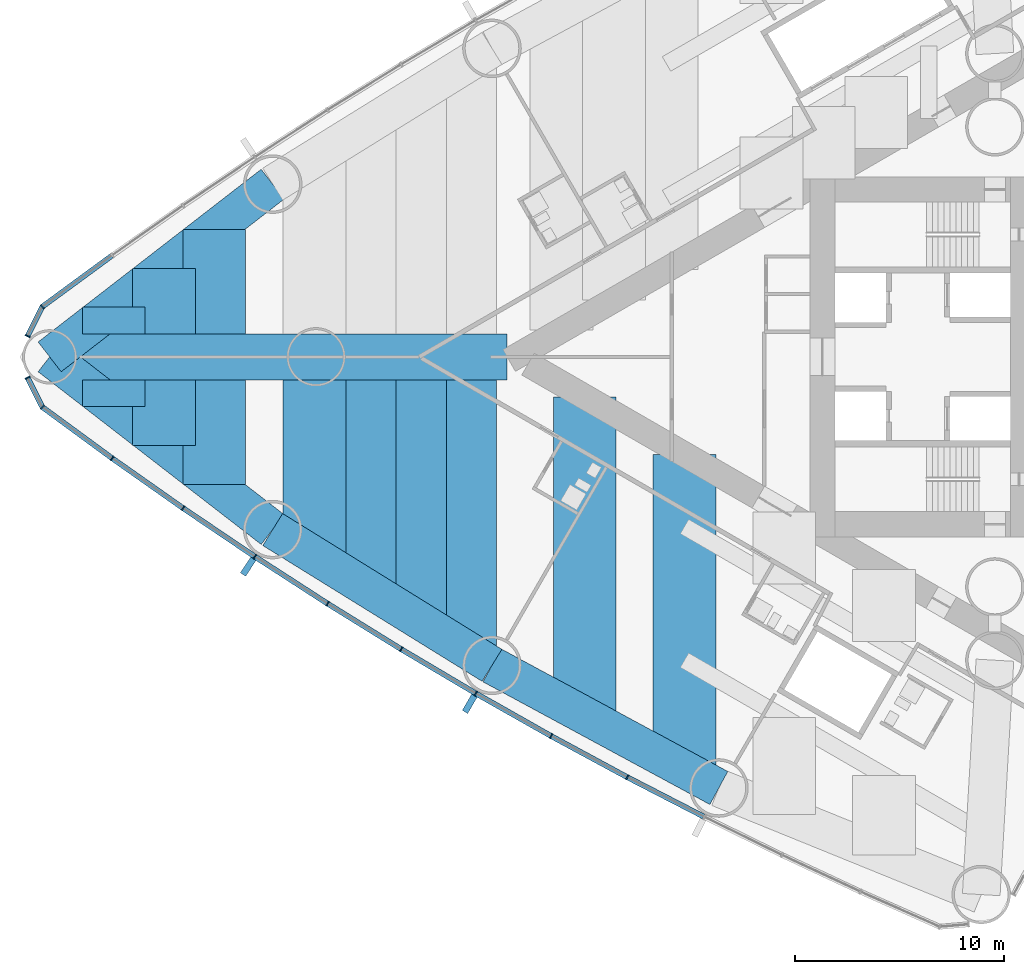
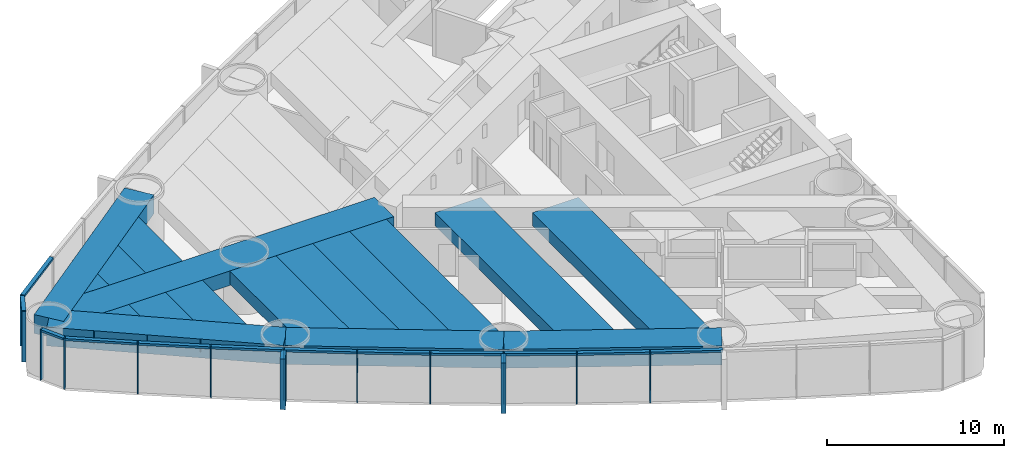
# One storey, part 2 of 19: 26 members, 17 beams, 2 elements without a shape of their own.
"""IFC4 building model written with IfcOpenShell, lengths in metres."""

from ifc_helpers import new_model, si_unit, direction, frame, origin, origin_2d, place, context, subcontext, project, spatial, rectangle, extrude, material, material_profile, profile_set, type_object, element, aggregate, save


model = new_model("IFC4")

# Units and contexts
model_context = context("Model", 3, precision=1e-05, world=origin(), true_north=direction((0.0, 1.0)))
body_context = subcontext(model_context, "Body", "Model", "MODEL_VIEW")
ifc_project = project(units=[si_unit("LENGTHUNIT", "METRE"), si_unit("AREAUNIT", "SQUARE_METRE"), si_unit("VOLUMEUNIT", "CUBIC_METRE"), si_unit("PLANEANGLEUNIT", "RADIAN"), si_unit("MASSUNIT", "GRAM", prefix="KILO")], contexts=[model_context])

# Site, building, storey
site_placement = place(None, origin())
site = spatial("IfcSite", under=ifc_project, at=site_placement, CompositionType="ELEMENT")
building_placement = place(site_placement, origin())
building = spatial("IfcBuilding", under=site, at=building_placement, Name="Lancet Gate Hotel", CompositionType="ELEMENT")
storey_placement = place(building_placement, frame((0.0, 0.0, 18.0)))
storey = spatial("IfcBuildingStorey", under=building, at=storey_placement, Name="L03", CompositionType="ELEMENT", Elevation=18.0)

# Curtain wall, members
ifc_material_1 = material(Name="Aluminium curtain wall", Category="aluminium")
curtain_wall_type = type_object("IfcCurtainWallType", Name="Tower unitised curtain wall", PredefinedType="USERDEFINED", material=ifc_material_1)
curtain_wall_1_placement = place(storey_placement, origin())
curtain_wall_1 = element("IfcCurtainWall", 1, at=curtain_wall_1_placement, inside=storey, type_object=curtain_wall_type, Name="T1 L03 curtain wall 2", ObjectType="UNITISED CURTAIN WALL", PredefinedType="USERDEFINED")
ifc_material_2 = material(Name="Aluminium mullion", Category="aluminium")
ifc_material_profile_1 = material_profile(ifc_material_2, rectangle(XDim=0.06494140625, YDim=0.25, at=origin_2d()), Name="MULLION 65x250")
ifc_profile_set_1 = profile_set([ifc_material_profile_1], Name="Aluminium mullion")
member_type_1 = type_object("IfcMemberType", Name="Aluminium mullion 65x250", PredefinedType="MULLION", material=ifc_profile_set_1)
member_1_placement = place(storey_placement, frame((-74.5830078125, 2.401611328125, 0.0), z_axis=(0.0, 0.0, 1.0), x_axis=(-0.723695580132, -0.690119342793, 0.0)))
member_1 = element("IfcMember", 2, at=member_1_placement, type_object=member_type_1, Name="T1 L03 curtain wall 2 mullion 14", PredefinedType="MULLION", context=body_context, shape_type="SweptSolid", body=[
    extrude(rectangle(XDim=0.06494140625, YDim=0.25, at=origin_2d()), origin(), (0.0, 0.0, 1.0), 3.5),
])
member_2_placement = place(storey_placement, frame((-75.287109375, 0.994873046875, 0.0), z_axis=(0.0, 0.0, 1.0), x_axis=(-0.447628324726, -0.89421970617, 0.0)))
member_2 = element("IfcMember", 3, at=member_2_placement, type_object=member_type_1, Name="T1 L03 curtain wall 2 mullion 15", PredefinedType="MULLION", context=body_context, shape_type="SweptSolid", body=[
    extrude(rectangle(XDim=0.06494140625, YDim=0.25, at=origin_2d()), origin(), (0.0, 0.0, 1.0), 3.5),
])

curtain_wall_2_placement = place(storey_placement, origin())
curtain_wall_2 = element("IfcCurtainWall", 4, at=curtain_wall_2_placement, inside=storey, type_object=curtain_wall_type, Name="T1 L03 curtain wall 3", ObjectType="UNITISED CURTAIN WALL", PredefinedType="USERDEFINED")
member_3_placement = place(storey_placement, frame((-75.287109375, -0.994873046875, 0.0), z_axis=(0.0, 0.0, 1.0), x_axis=(0.447628324726, -0.89421970617, 0.0)))
member_3 = element("IfcMember", 5, at=member_3_placement, type_object=member_type_1, Name="T1 L03 curtain wall 3 mullion 1", PredefinedType="MULLION", context=body_context, shape_type="SweptSolid", body=[
    extrude(rectangle(XDim=0.06494140625, YDim=0.25, at=origin_2d()), origin(), (0.0, 0.0, 1.0), 3.5),
])
member_4_placement = place(storey_placement, frame((-74.5830078125, -2.401611328125, 0.0), z_axis=(0.0, 0.0, 1.0), x_axis=(0.723695580132, -0.690119342793, 0.0)))
member_4 = element("IfcMember", 6, at=member_4_placement, type_object=member_type_1, Name="T1 L03 curtain wall 3 mullion 2", PredefinedType="MULLION", context=body_context, shape_type="SweptSolid", body=[
    extrude(rectangle(XDim=0.06494140625, YDim=0.25, at=origin_2d()), origin(), (0.0, 0.0, 1.0), 3.5),
])
member_5_placement = place(storey_placement, frame((-71.244384765625, -4.85009765625, 0.0), z_axis=(0.0, 0.0, 1.0), x_axis=(0.812146623168, -0.583453393578, 0.0)))
member_5 = element("IfcMember", 7, at=member_5_placement, type_object=member_type_1, Name="T1 L03 curtain wall 3 mullion 3", PredefinedType="MULLION", context=body_context, shape_type="SweptSolid", body=[
    extrude(rectangle(XDim=0.06494140625, YDim=0.25, at=origin_2d()), origin(), (0.0, 0.0, 1.0), 3.5),
])
member_6_placement = place(storey_placement, frame((-67.858154296875, -7.232666015625, 0.0), z_axis=(0.0, 0.0, 1.0), x_axis=(0.823425148573, -0.56742490666, 0.0)))
member_6 = element("IfcMember", 8, at=member_6_placement, type_object=member_type_1, Name="T1 L03 curtain wall 3 mullion 4", PredefinedType="MULLION", context=body_context, shape_type="SweptSolid", body=[
    extrude(rectangle(XDim=0.06494140625, YDim=0.25, at=origin_2d()), origin(), (0.0, 0.0, 1.0), 3.5),
])
member_7_placement = place(storey_placement, frame((-64.42626953125, -9.548583984375, 0.0), z_axis=(0.0, 0.0, 1.0), x_axis=(0.834387381945, -0.55117846189, 0.0)))
member_7 = element("IfcMember", 9, at=member_7_placement, type_object=member_type_1, Name="T1 L03 curtain wall 3 mullion 5", PredefinedType="MULLION", context=body_context, shape_type="SweptSolid", body=[
    extrude(rectangle(XDim=0.06494140625, YDim=0.25, at=origin_2d()), origin(), (0.0, 0.0, 1.0), 3.5),
])
member_8_placement = place(storey_placement, frame((-60.949462890625, -11.796630859375, 0.0), z_axis=(0.0, 0.0, 1.0), x_axis=(0.845029112489, -0.534720299827, 0.0)))
member_8 = element("IfcMember", 10, at=member_8_placement, type_object=member_type_1, Name="T1 L03 curtain wall 3 mullion 6", PredefinedType="MULLION", context=body_context, shape_type="SweptSolid", body=[
    extrude(rectangle(XDim=0.06494140625, YDim=0.25, at=origin_2d()), origin(), (0.0, 0.0, 1.0), 3.5),
])
member_9_placement = place(storey_placement, frame((-57.42919921875, -13.97607421875, 0.0), z_axis=(0.0, 0.0, 1.0), x_axis=(0.855346252548, -0.518056742309, 0.0)))
member_9 = element("IfcMember", 11, at=member_9_placement, type_object=member_type_1, Name="T1 L03 curtain wall 3 mullion 7", PredefinedType="MULLION", context=body_context, shape_type="SweptSolid", body=[
    extrude(rectangle(XDim=0.06494140625, YDim=0.25, at=origin_2d()), origin(), (0.0, 0.0, 1.0), 3.5),
])
member_10_placement = place(storey_placement, frame((-53.866943359375, -16.086181640625, 0.0), z_axis=(0.0, 0.0, 1.0), x_axis=(0.86533483912, -0.501194190115, 0.0)))
member_10 = element("IfcMember", 12, at=member_10_placement, type_object=member_type_1, Name="T1 L03 curtain wall 3 mullion 8", PredefinedType="MULLION", context=body_context, shape_type="SweptSolid", body=[
    extrude(rectangle(XDim=0.06494140625, YDim=0.25, at=origin_2d()), origin(), (0.0, 0.0, 1.0), 3.5),
])
member_11_placement = place(storey_placement, frame((-50.26416015625, -18.1259765625, 0.0), z_axis=(0.0, 0.0, 1.0), x_axis=(0.874991035403, -0.484139120464, 0.0)))
member_11 = element("IfcMember", 13, at=member_11_placement, type_object=member_type_1, Name="T1 L03 curtain wall 3 mullion 9", PredefinedType="MULLION", context=body_context, shape_type="SweptSolid", body=[
    extrude(rectangle(XDim=0.06494140625, YDim=0.25, at=origin_2d()), origin(), (0.0, 0.0, 1.0), 3.5),
])
member_12_placement = place(storey_placement, frame((-46.6220703125, -20.094970703125, 0.0), z_axis=(0.0, 0.0, 1.0), x_axis=(0.884311132302, -0.466898084475, 0.0)))
member_12 = element("IfcMember", 14, at=member_12_placement, type_object=member_type_1, Name="T1 L03 curtain wall 3 mullion 10", PredefinedType="MULLION", context=body_context, shape_type="SweptSolid", body=[
    extrude(rectangle(XDim=0.06494140625, YDim=0.25, at=origin_2d()), origin(), (0.0, 0.0, 1.0), 3.5),
])

# Member
ifc_material_3 = material(Name="Aluminium transom", Category="aluminium")
ifc_material_profile_2 = material_profile(ifc_material_3, rectangle(XDim=0.25, YDim=0.14990234375, at=origin_2d()), Name="TRANSOM 250x150")
ifc_profile_set_2 = profile_set([ifc_material_profile_2], Name="Aluminium transom")
member_type_2 = type_object("IfcMemberType", Name="Aluminium transom 250x150", PredefinedType="USERDEFINED", material=ifc_profile_set_2)
member_13_placement = place(storey_placement, frame((-71.2705078125, 4.8310546875, 3.425048828125), z_axis=(-0.806366902144, -0.59141560609, 0.0), x_axis=(0.59141560609, -0.806366902144, 0.0)))
member_13 = element("IfcMember", 15, at=member_13_placement, type_object=member_type_2, Name="T1 L03 curtain wall 2 transom 13", ObjectType="TRANSOM", PredefinedType="USERDEFINED", context=body_context, shape_type="SweptSolid", body=[
    extrude(rectangle(XDim=0.25, YDim=0.14990234375, at=origin_2d()), origin(), (0.0, 0.0, 1.0), 4.0751953125),
])

member_14_placement = place(storey_placement, frame((-74.597412109375, 2.37255859375, 3.425048828125), z_axis=(-0.447731503446, -0.894168049542, 0.0), x_axis=(0.894168049542, -0.447731503446, 0.0)))
member_14 = element("IfcMember", 16, at=member_14_placement, type_object=member_type_2, Name="T1 L03 curtain wall 2 transom 14", ObjectType="TRANSOM", PredefinedType="USERDEFINED", context=body_context, shape_type="SweptSolid", body=[
    extrude(rectangle(XDim=0.25, YDim=0.14990234375, at=origin_2d()), origin(), (0.0, 0.0, 1.0), 1.50830078125),
])

aggregate(curtain_wall_1, [member_1, member_2, member_13, member_14])

member_15_placement = place(storey_placement, frame((-75.272705078125, -1.02392578125, 3.425048828125), z_axis=(0.447731503446, -0.894168049542, 0.0), x_axis=(0.894168049542, 0.447731503446, 0.0)))
member_15 = element("IfcMember", 17, at=member_15_placement, type_object=member_type_2, Name="T1 L03 curtain wall 3 transom 1", ObjectType="TRANSOM", PredefinedType="USERDEFINED", context=body_context, shape_type="SweptSolid", body=[
    extrude(rectangle(XDim=0.25, YDim=0.14990234375, at=origin_2d()), origin(), (0.0, 0.0, 1.0), 1.50830078125),
])

member_16_placement = place(storey_placement, frame((-74.556640625, -2.4208984375, 3.425048828125), z_axis=(0.806366902144, -0.59141560609, 0.0), x_axis=(0.59141560609, 0.806366902144, 0.0)))
member_16 = element("IfcMember", 18, at=member_16_placement, type_object=member_type_2, Name="T1 L03 curtain wall 3 transom 2", ObjectType="TRANSOM", PredefinedType="USERDEFINED", context=body_context, shape_type="SweptSolid", body=[
    extrude(rectangle(XDim=0.25, YDim=0.14990234375, at=origin_2d()), origin(), (0.0, 0.0, 1.0), 4.0751953125),
])

member_17_placement = place(storey_placement, frame((-71.2177734375, -4.868896484375, 3.425048828125), z_axis=(0.817833568345, -0.57545482402, 0.0), x_axis=(0.57545482402, 0.817833568345, 0.0)))
member_17 = element("IfcMember", 19, at=member_17_placement, type_object=member_type_2, Name="T1 L03 curtain wall 3 transom 3", ObjectType="TRANSOM", PredefinedType="USERDEFINED", context=body_context, shape_type="SweptSolid", body=[
    extrude(rectangle(XDim=0.25, YDim=0.14990234375, at=origin_2d()), origin(), (0.0, 0.0, 1.0), 4.075439453125),
])

member_18_placement = place(storey_placement, frame((-67.831298828125, -7.2509765625, 3.425048828125), z_axis=(0.828959086782, -0.559309245804, 0.0), x_axis=(0.559309245804, 0.828959086782, 0.0)))
member_18 = element("IfcMember", 20, at=member_18_placement, type_object=member_type_2, Name="T1 L03 curtain wall 3 transom 4", ObjectType="TRANSOM", PredefinedType="USERDEFINED", context=body_context, shape_type="SweptSolid", body=[
    extrude(rectangle(XDim=0.25, YDim=0.14990234375, at=origin_2d()), origin(), (0.0, 0.0, 1.0), 4.0751953125),
])

member_19_placement = place(storey_placement, frame((-64.39892578125, -9.566162109375, 3.425048828125), z_axis=(0.839729242404, -0.543005340169, 0.0), x_axis=(0.543005340169, 0.839729242404, 0.0)))
member_19 = element("IfcMember", 21, at=member_19_placement, type_object=member_type_2, Name="T1 L03 curtain wall 3 transom 5", ObjectType="TRANSOM", PredefinedType="USERDEFINED", context=body_context, shape_type="SweptSolid", body=[
    extrude(rectangle(XDim=0.25, YDim=0.14990234375, at=origin_2d()), origin(), (0.0, 0.0, 1.0), 4.0751953125),
])

member_20_placement = place(storey_placement, frame((-60.921875, -11.813720703125, 3.425048828125), z_axis=(0.850242165643, -0.526391736032, 0.0), x_axis=(0.526391736032, 0.850242165643, 0.0)))
member_20 = element("IfcMember", 22, at=member_20_placement, type_object=member_type_2, Name="T1 L03 curtain wall 3 transom 6", ObjectType="TRANSOM", PredefinedType="USERDEFINED", context=body_context, shape_type="SweptSolid", body=[
    extrude(rectangle(XDim=0.25, YDim=0.14990234375, at=origin_2d()), origin(), (0.0, 0.0, 1.0), 4.075439453125),
])

member_21_placement = place(storey_placement, frame((-57.4013671875, -13.99267578125, 3.425048828125), z_axis=(0.86039174806, -0.509633240547, 0.0), x_axis=(0.509633240547, 0.86039174806, 0.0)))
member_21 = element("IfcMember", 23, at=member_21_placement, type_object=member_type_2, Name="T1 L03 curtain wall 3 transom 7", ObjectType="TRANSOM", PredefinedType="USERDEFINED", context=body_context, shape_type="SweptSolid", body=[
    extrude(rectangle(XDim=0.25, YDim=0.14990234375, at=origin_2d()), origin(), (0.0, 0.0, 1.0), 4.0751953125),
])

member_22_placement = place(storey_placement, frame((-53.838623046875, -16.102294921875, 3.425048828125), z_axis=(0.870197729943, -0.492702659625, 0.0), x_axis=(0.492702659625, 0.870197729943, 0.0)))
member_22 = element("IfcMember", 24, at=member_22_placement, type_object=member_type_2, Name="T1 L03 curtain wall 3 transom 8", ObjectType="TRANSOM", PredefinedType="USERDEFINED", context=body_context, shape_type="SweptSolid", body=[
    extrude(rectangle(XDim=0.25, YDim=0.14990234375, at=origin_2d()), origin(), (0.0, 0.0, 1.0), 4.0751953125),
])

member_23_placement = place(storey_placement, frame((-50.235595703125, -18.1416015625, 3.425048828125), z_axis=(0.87971396408, -0.475503250675, 0.0), x_axis=(0.475503250675, 0.87971396408, 0.0)))
member_23 = element("IfcMember", 25, at=member_23_placement, type_object=member_type_2, Name="T1 L03 curtain wall 3 transom 9", ObjectType="TRANSOM", PredefinedType="USERDEFINED", context=body_context, shape_type="SweptSolid", body=[
    extrude(rectangle(XDim=0.25, YDim=0.14990234375, at=origin_2d()), origin(), (0.0, 0.0, 1.0), 4.0751953125),
])

member_24_placement = place(storey_placement, frame((-46.593017578125, -20.10986328125, 3.425048828125), z_axis=(0.888859972399, -0.458178949175, 0.0), x_axis=(0.458178949175, 0.888859972399, 0.0)))
member_24 = element("IfcMember", 26, at=member_24_placement, type_object=member_type_2, Name="T1 L03 curtain wall 3 transom 10", ObjectType="TRANSOM", PredefinedType="USERDEFINED", context=body_context, shape_type="SweptSolid", body=[
    extrude(rectangle(XDim=0.25, YDim=0.14990234375, at=origin_2d()), origin(), (0.0, 0.0, 1.0), 4.0751953125),
])

# Beams
ifc_material_4 = material(Name="Concrete C50/60", Category="concrete")
ifc_material_profile_3 = material_profile(ifc_material_4, rectangle(XDim=1.800048828125, YDim=1.300048828125, at=origin_2d()), Name="RC 1800x1300")
ifc_profile_set_3 = profile_set([ifc_material_profile_3], Name="Concrete C50/60")
beam_type_1 = type_object("IfcBeamType", Name="Edge beam RC 1800x1300", PredefinedType="SPANDREL", material=ifc_profile_set_3)
for number, where, z_axis, x_axis, name in (
    (27, (-63.57177734375, 8.255126953125, 2.60009765625), (-0.790736428665, -0.612156761281, 0.0), (0.612156761281, -0.790736428665, 0.0), "T1 edge beam EB1 L03"),
    (28, (-74.235107421875, 0.0, 2.60009765625), (0.790736428665, -0.612156761281, 0.0), (0.612156761281, 0.790736428665, 0.0), "T1 edge beam EB1 L03"),
):
    element("IfcBeam", number, at=place(storey_placement, frame(where, z_axis=z_axis, x_axis=x_axis)), inside=storey, type_object=beam_type_1, Name=name, PredefinedType="SPANDREL", context=body_context, shape_type="SweptSolid", body=[
        extrude(rectangle(XDim=1.800048828125, YDim=1.300048828125, at=origin_2d()), origin(), (0.0, 0.0, 1.0), 13.4853515625),
    ])
for number, where, z_axis, x_axis, name in (
    (29, (-63.57177734375, -8.255126953125, 2.60009765625), (0.850225894333, -0.526418016984, 0.0), (0.526418016984, 0.850225894333, 0.0), "T1 edge beam EB1 L03"),
    (30, (-53.090087890625, -14.744873046875, 2.60009765625), (0.879692855603, -0.475542300749, 0.0), (0.475542300749, 0.879692855603, 0.0), "T1 edge beam EB1 L03"),
):
    element("IfcBeam", number, at=place(storey_placement, frame(where, z_axis=z_axis, x_axis=x_axis)), inside=storey, type_object=beam_type_1, Name=name, PredefinedType="SPANDREL", context=body_context, shape_type="SweptSolid", body=[
        extrude(rectangle(XDim=1.800048828125, YDim=1.300048828125, at=origin_2d()), origin(), (0.0, 0.0, 1.0), 12.328125),
    ])

# Member
ifc_material_5 = material(Name="Precast concrete C50/60", Category="concrete")
ifc_material_profile_4 = material_profile(ifc_material_5, rectangle(XDim=0.300048828125, YDim=0.89990234375, at=origin_2d()), Name="FIN 300x900")
ifc_profile_set_4 = profile_set([ifc_material_profile_4], Name="Precast concrete C50/60")
member_type_3 = type_object("IfcMemberType", Name="Exposed concrete fin 300x900", PredefinedType="USERDEFINED", material=ifc_profile_set_4)
member_25_placement = place(storey_placement, frame((-64.7431640625, -10.0283203125, 0.0), z_axis=(0.0, 0.0, 1.0), x_axis=(0.834387381945, -0.55117846189, 0.0)))
member_25 = element("IfcMember", 31, at=member_25_placement, type_object=member_type_3, Name="T1 L03 curtain wall 3 fin 5", ObjectType="FIN", PredefinedType="USERDEFINED", context=body_context, shape_type="SweptSolid", body=[
    extrude(rectangle(XDim=0.300048828125, YDim=0.89990234375, at=origin_2d()), origin(), (0.0, 0.0, 1.0), 3.5),
])

member_26_placement = place(storey_placement, frame((-54.1552734375, -16.583740234375, 0.0), z_axis=(0.0, 0.0, 1.0), x_axis=(0.86533483912, -0.501194190115, 0.0)))
member_26 = element("IfcMember", 32, at=member_26_placement, type_object=member_type_3, Name="T1 L03 curtain wall 3 fin 8", ObjectType="FIN", PredefinedType="USERDEFINED", context=body_context, shape_type="SweptSolid", body=[
    extrude(rectangle(XDim=0.300048828125, YDim=0.89990234375, at=origin_2d()), origin(), (0.0, 0.0, 1.0), 3.5),
])

aggregate(curtain_wall_2, [member_3, member_4, member_5, member_6, member_7, member_25, member_8, member_9, member_10, member_26, member_11, member_12, member_15, member_16, member_17, member_18, member_19, member_20, member_21, member_22, member_23, member_24])

# Beams
ifc_material_6 = material(Name="Concrete C50/60", Category="concrete")
ifc_material_profile_5 = material_profile(ifc_material_6, rectangle(XDim=3.0, YDim=0.89990234375, at=origin_2d()), Name="RC 3000x900")
ifc_profile_set_5 = profile_set([ifc_material_profile_5], Name="Concrete C50/60")
beam_type_2 = type_object("IfcBeamType", Name="Floor beam RC 3000x900", PredefinedType="BEAM", material=ifc_profile_set_5)
beam_1_placement = place(storey_placement, frame((-43.891357421875, -4.663330078125, 2.800048828125), z_axis=(0.0, -1.0, 0.0), x_axis=(1.0, 0.0, 0.0)))
element("IfcBeam", 33, at=beam_1_placement, inside=storey, type_object=beam_type_2, Name="T1 floor beam F08N L03", PredefinedType="BEAM", context=body_context, shape_type="SweptSolid", body=[
    extrude(rectangle(XDim=3.0, YDim=0.89990234375, at=origin_2d()), origin(), (0.0, 0.0, 1.0), 15.05419921875),
])
beam_2_placement = place(storey_placement, frame((-48.66015625, -1.909912109375, 2.800048828125), z_axis=(0.0, -1.0, 0.0), x_axis=(1.0, 0.0, 0.0)))
element("IfcBeam", 34, at=beam_2_placement, inside=storey, type_object=beam_type_2, Name="T1 floor beam F11N L03", PredefinedType="BEAM", context=body_context, shape_type="SweptSolid", body=[
    extrude(rectangle(XDim=3.0, YDim=0.89990234375, at=origin_2d()), origin(), (0.0, 0.0, 1.0), 15.229736328125),
])
beam_3_placement = place(storey_placement, frame((-54.3681640625, -1.10009765625, 2.800048828125), z_axis=(0.0, -1.0, 0.0), x_axis=(1.0, 0.0, 0.0)))
element("IfcBeam", 35, at=beam_3_placement, inside=storey, type_object=beam_type_2, Name="T1 floor beam F14N L03", PredefinedType="BEAM", context=body_context, shape_type="SweptSolid", body=[
    extrude(rectangle(XDim=3.0, YDim=0.89990234375, at=origin_2d()), origin(), (0.0, 0.0, 1.0), 12.853515625),
])
beam_4_placement = place(storey_placement, frame((-56.768310546875, -1.10009765625, 2.800048828125), z_axis=(0.0, -1.0, 0.0), x_axis=(1.0, 0.0, 0.0)))
element("IfcBeam", 36, at=beam_4_placement, inside=storey, type_object=beam_type_2, Name="T1 floor beam F16N L03", PredefinedType="BEAM", context=body_context, shape_type="SweptSolid", body=[
    extrude(rectangle(XDim=3.0, YDim=0.89990234375, at=origin_2d()), origin(), (0.0, 0.0, 1.0), 11.367431640625),
])
beam_5_placement = place(storey_placement, frame((-59.168212890625, -1.10009765625, 2.800048828125), z_axis=(0.0, -1.0, 0.0), x_axis=(1.0, 0.0, 0.0)))
element("IfcBeam", 37, at=beam_5_placement, inside=storey, type_object=beam_type_2, Name="T1 floor beam F18N L03", PredefinedType="BEAM", context=body_context, shape_type="SweptSolid", body=[
    extrude(rectangle(XDim=3.0, YDim=0.89990234375, at=origin_2d()), origin(), (0.0, 0.0, 1.0), 9.881591796875),
])
beam_6_placement = place(storey_placement, frame((-61.568359375, -1.10009765625, 2.800048828125), z_axis=(0.0, -1.0, 0.0), x_axis=(1.0, 0.0, 0.0)))
element("IfcBeam", 38, at=beam_6_placement, inside=storey, type_object=beam_type_2, Name="T1 floor beam F20N L03", PredefinedType="BEAM", context=body_context, shape_type="SweptSolid", body=[
    extrude(rectangle(XDim=3.0, YDim=0.89990234375, at=origin_2d()), origin(), (0.0, 0.0, 1.0), 8.395751953125),
])
for number, where, z_axis, x_axis, name in (
    (39, (-66.3681640625, 6.09033203125, 2.800048828125), (0.0, -1.0, 0.0), (1.0, 0.0, 0.0), "T1 floor beam F21S L03"),
    (40, (-66.3681640625, -1.10009765625, 2.800048828125), (0.0, -1.0, 0.0), (1.0, 0.0, 0.0), "T1 floor beam F22N L03"),
):
    element("IfcBeam", number, at=place(storey_placement, frame(where, z_axis=z_axis, x_axis=x_axis)), inside=storey, type_object=beam_type_2, Name=name, PredefinedType="BEAM", context=body_context, shape_type="SweptSolid", body=[
        extrude(rectangle(XDim=3.0, YDim=0.89990234375, at=origin_2d()), origin(), (0.0, 0.0, 1.0), 4.990234375),
    ])
for number, where, z_axis, x_axis, name in (
    (41, (-68.768310546875, 4.232421875, 2.800048828125), (0.0, -1.0, 0.0), (1.0, 0.0, 0.0), "T1 floor beam F23S L03"),
    (42, (-68.768310546875, -1.10009765625, 2.800048828125), (0.0, -1.0, 0.0), (1.0, 0.0, 0.0), "T1 floor beam F24N L03"),
):
    element("IfcBeam", number, at=place(storey_placement, frame(where, z_axis=z_axis, x_axis=x_axis)), inside=storey, type_object=beam_type_2, Name=name, PredefinedType="BEAM", context=body_context, shape_type="SweptSolid", body=[
        extrude(rectangle(XDim=3.0, YDim=0.89990234375, at=origin_2d()), origin(), (0.0, 0.0, 1.0), 3.13232421875),
    ])
for number, where, z_axis, x_axis, name in (
    (43, (-71.168212890625, 2.374267578125, 2.800048828125), (0.0, -1.0, 0.0), (1.0, 0.0, 0.0), "T1 floor beam F25S L03"),
    (44, (-71.168212890625, -1.10009765625, 2.800048828125), (0.0, -1.0, 0.0), (1.0, 0.0, 0.0), "T1 floor beam F26N L03"),
):
    element("IfcBeam", number, at=place(storey_placement, frame(where, z_axis=z_axis, x_axis=x_axis)), inside=storey, type_object=beam_type_2, Name=name, PredefinedType="BEAM", context=body_context, shape_type="SweptSolid", body=[
        extrude(rectangle(XDim=3.0, YDim=0.89990234375, at=origin_2d()), origin(), (0.0, 0.0, 1.0), 1.274169921875),
    ])
ifc_material_7 = material(Name="Concrete C50/60", Category="concrete")
ifc_material_profile_6 = material_profile(ifc_material_7, rectangle(XDim=2.199951171875, YDim=1.0, at=origin_2d()), Name="RC 2200x1000")
ifc_profile_set_6 = profile_set([ifc_material_profile_6], Name="Concrete C50/60")
beam_type_3 = type_object("IfcBeamType", Name="Radial floor beam RC 2200x1000", PredefinedType="BEAM", material=ifc_profile_set_6)
beam_7_placement = place(storey_placement, frame((-74.235107421875, 0.0, 2.75), z_axis=(1.0, 0.0, 0.0), x_axis=(0.0, 1.0, 0.0)))
element("IfcBeam", 45, at=beam_7_placement, inside=storey, type_object=beam_type_3, Name="T1 radial beam CA L03", PredefinedType="BEAM", context=body_context, shape_type="SweptSolid", body=[
    extrude(rectangle(XDim=2.199951171875, YDim=1.0, at=origin_2d()), origin(), (0.0, 0.0, 1.0), 21.866943359375),
])

save(model, "model.ifc")
